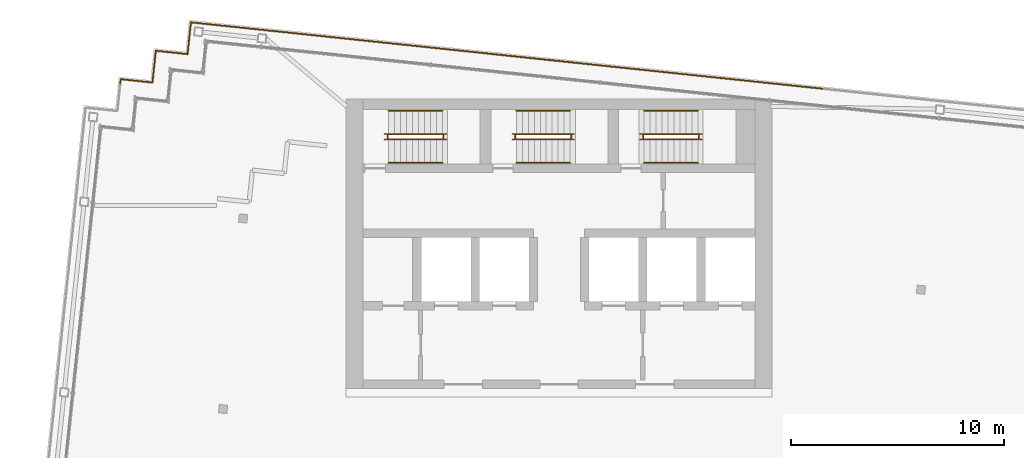
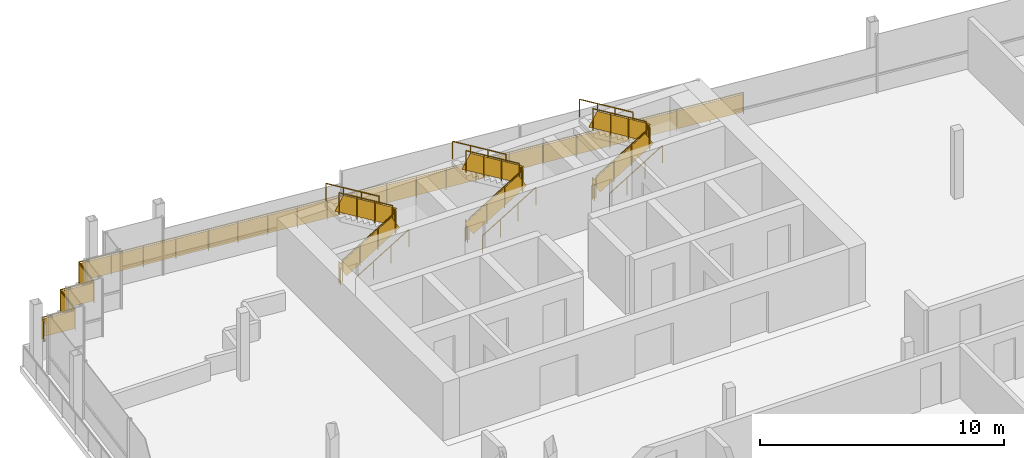
# One storey, part 14 of 15: 21 railings.
"""IFC4 building model written with IfcOpenShell, lengths in metres."""

from ifc_helpers import new_model, si_unit, direction, frame, origin, origin_2d, place, context, subcontext, project, spatial, rectangle, circle, extrude, material, type_object, element, save


model = new_model("IFC4")

# Units and contexts
model_context = context("Model", 3, precision=1e-05, world=origin(), true_north=direction((0.0, 1.0)))
body_context = subcontext(model_context, "Body", "Model", "MODEL_VIEW")
ifc_project = project(units=[si_unit("LENGTHUNIT", "METRE"), si_unit("AREAUNIT", "SQUARE_METRE"), si_unit("VOLUMEUNIT", "CUBIC_METRE"), si_unit("PLANEANGLEUNIT", "RADIAN"), si_unit("MASSUNIT", "GRAM", prefix="KILO")], contexts=[model_context])

# Site, building, storey
site_placement = place(None, origin())
site = spatial("IfcSite", under=ifc_project, at=site_placement, CompositionType="ELEMENT")
building_placement = place(site_placement, origin())
building = spatial("IfcBuilding", under=site, at=building_placement, Name="Vidyagriha Tower", CompositionType="ELEMENT")
storey_placement = place(building_placement, frame((0.0, 0.0, 298.300048828125)))
storey = spatial("IfcBuildingStorey", under=building, at=storey_placement, Name="L77", CompositionType="ELEMENT", Elevation=298.300048828125)

# Railings
ifc_material_1 = material(Name="Steel ASTM A500 Grade C black painted", Category="steel")
railing_type_1 = type_object("IfcRailingType", Name="Gallery guard 1100", PredefinedType="GUARDRAIL", material=ifc_material_1)
railing_1_placement = place(storey_placement, frame((-20.600341796875, 20.727783203125, 0.0)))
element("IfcRailing", 1, at=railing_1_placement, inside=storey, type_object=railing_type_1, Name="Gallery guard L77 9", PredefinedType="GUARDRAIL", context=body_context, shape_type="SweptSolid", body=[
    extrude(circle(Radius=0.02490234375, at=origin_2d()), frame((0.0, 0.0, 1.0751953125), z_axis=(0.10506634941, 0.994465214184, 0.0), x_axis=(-0.994465214184, 0.10506634941, 0.0)), (0.0, 0.0, 1.0), 0.199951171875),
    extrude(circle(Radius=0.02490234375, at=origin_2d()), frame((0.02099609375, 0.19873046875, 1.0751953125), z_axis=(0.994525057048, -0.104498377516, 0.0), x_axis=(0.104498377516, 0.994525057048, 0.0)), (0.0, 0.0, 1.0), 1.5),
    extrude(circle(Radius=0.02490234375, at=origin_2d()), frame((1.5126953125, 0.0419921875, 1.0751953125), z_axis=(0.104498377516, 0.994525057048, 0.0), x_axis=(-0.994525057048, 0.104498377516, 0.0)), (0.0, 0.0, 1.0), 1.5),
    extrude(circle(Radius=0.02490234375, at=origin_2d()), frame((1.66943359375, 1.53369140625, 1.0751953125), z_axis=(0.994525057048, -0.104498377516, 0.0), x_axis=(0.104498377516, 0.994525057048, 0.0)), (0.0, 0.0, 1.0), 1.5),
    extrude(circle(Radius=0.02490234375, at=origin_2d()), frame((3.1611328125, 1.376953125, 1.0751953125), z_axis=(0.104659366031, 0.994508128223, 0.0), x_axis=(-0.994508128223, 0.104659366031, 0.0)), (0.0, 0.0, 1.0), 1.5),
    extrude(circle(Radius=0.02490234375, at=origin_2d()), frame((3.318115234375, 2.86865234375, 1.0751953125), z_axis=(0.994523198252, -0.104516066418, 0.0), x_axis=(0.104516066418, 0.994523198252, 0.0)), (0.0, 0.0, 1.0), 5.800048828125),
    extrude(circle(Radius=0.02001953125, at=origin_2d()), origin(), (0.0, 0.0, 1.0), 1.050048828125),
    extrude(circle(Radius=0.02001953125, at=origin_2d()), frame((0.02099609375, 0.19873046875, 0.0)), (0.0, 0.0, 1.0), 1.050048828125),
    extrude(circle(Radius=0.02001953125, at=origin_2d()), frame((1.5126953125, 0.0419921875, 0.0)), (0.0, 0.0, 1.0), 1.050048828125),
    extrude(circle(Radius=0.02001953125, at=origin_2d()), frame((1.66943359375, 1.53369140625, 0.0)), (0.0, 0.0, 1.0), 1.050048828125),
    extrude(circle(Radius=0.02001953125, at=origin_2d()), frame((3.1611328125, 1.376953125, 0.0)), (0.0, 0.0, 1.0), 1.050048828125),
    extrude(circle(Radius=0.02001953125, at=origin_2d()), frame((3.318115234375, 2.86865234375, 0.0)), (0.0, 0.0, 1.0), 1.050048828125),
    extrude(circle(Radius=0.02001953125, at=origin_2d()), frame((4.76025390625, 2.717041015625, 0.0)), (0.0, 0.0, 1.0), 1.050048828125),
    extrude(circle(Radius=0.02001953125, at=origin_2d()), frame((6.2021484375, 2.5654296875, 0.0)), (0.0, 0.0, 1.0), 1.050048828125),
    extrude(circle(Radius=0.02001953125, at=origin_2d()), frame((7.644287109375, 2.4140625, 0.0)), (0.0, 0.0, 1.0), 1.050048828125),
    extrude(circle(Radius=0.02001953125, at=origin_2d()), frame((9.08642578125, 2.262451171875, 0.0)), (0.0, 0.0, 1.0), 1.050048828125),
    extrude(rectangle(XDim=0.010009765625, YDim=0.900146484375, at=origin_2d()), frame((0.0, 0.0, 0.550048828125), z_axis=(0.10506634941, 0.994465214184, 0.0), x_axis=(-0.994465214184, 0.10506634941, 0.0)), (0.0, 0.0, 1.0), 0.199951171875),
    extrude(rectangle(XDim=0.010009765625, YDim=0.900146484375, at=origin_2d()), frame((0.02099609375, 0.19873046875, 0.550048828125), z_axis=(0.994525057048, -0.104498377516, 0.0), x_axis=(0.104498377516, 0.994525057048, 0.0)), (0.0, 0.0, 1.0), 1.5),
    extrude(rectangle(XDim=0.010009765625, YDim=0.900146484375, at=origin_2d()), frame((1.5126953125, 0.0419921875, 0.550048828125), z_axis=(0.104498377516, 0.994525057048, 0.0), x_axis=(-0.994525057048, 0.104498377516, 0.0)), (0.0, 0.0, 1.0), 1.5),
    extrude(rectangle(XDim=0.010009765625, YDim=0.900146484375, at=origin_2d()), frame((1.66943359375, 1.53369140625, 0.550048828125), z_axis=(0.994525057048, -0.104498377516, 0.0), x_axis=(0.104498377516, 0.994525057048, 0.0)), (0.0, 0.0, 1.0), 1.5),
    extrude(rectangle(XDim=0.010009765625, YDim=0.900146484375, at=origin_2d()), frame((3.1611328125, 1.376953125, 0.550048828125), z_axis=(0.104659366031, 0.994508128223, 0.0), x_axis=(-0.994508128223, 0.104659366031, 0.0)), (0.0, 0.0, 1.0), 1.5),
    extrude(rectangle(XDim=0.010009765625, YDim=0.900146484375, at=origin_2d()), frame((3.318115234375, 2.86865234375, 0.550048828125), z_axis=(0.994523198252, -0.104516066418, 0.0), x_axis=(0.104516066418, 0.994523198252, 0.0)), (0.0, 0.0, 1.0), 5.800048828125),
])
railing_2_placement = place(storey_placement, frame((-11.513916015625, 22.990234375, 0.0)))
element("IfcRailing", 2, at=railing_2_placement, inside=storey, type_object=railing_type_1, Name="Gallery guard L77 10", PredefinedType="GUARDRAIL", context=body_context, shape_type="SweptSolid", body=[
    extrude(circle(Radius=0.02490234375, at=origin_2d()), frame((0.0, 0.0, 1.0751953125), z_axis=(0.994521494219, -0.104532279878, 0.0), x_axis=(0.104532279878, 0.994521494219, 0.0)), (0.0, 0.0, 1.0), 12.0),
    extrude(circle(Radius=0.02001953125, at=origin_2d()), origin(), (0.0, 0.0, 1.0), 1.050048828125),
    extrude(circle(Radius=0.02001953125, at=origin_2d()), frame((1.325927734375, -0.139404296875, 0.0)), (0.0, 0.0, 1.0), 1.050048828125),
    extrude(circle(Radius=0.02001953125, at=origin_2d()), frame((2.652099609375, -0.27880859375, 0.0)), (0.0, 0.0, 1.0), 1.050048828125),
    extrude(circle(Radius=0.02001953125, at=origin_2d()), frame((3.97802734375, -0.418212890625, 0.0)), (0.0, 0.0, 1.0), 1.050048828125),
    extrude(circle(Radius=0.02001953125, at=origin_2d()), frame((5.30419921875, -0.5576171875, 0.0)), (0.0, 0.0, 1.0), 1.050048828125),
    extrude(circle(Radius=0.02001953125, at=origin_2d()), frame((6.630126953125, -0.69677734375, 0.0)), (0.0, 0.0, 1.0), 1.050048828125),
    extrude(circle(Radius=0.02001953125, at=origin_2d()), frame((7.956298828125, -0.836181640625, 0.0)), (0.0, 0.0, 1.0), 1.050048828125),
    extrude(circle(Radius=0.02001953125, at=origin_2d()), frame((9.2822265625, -0.9755859375, 0.0)), (0.0, 0.0, 1.0), 1.050048828125),
    extrude(circle(Radius=0.02001953125, at=origin_2d()), frame((10.6083984375, -1.114990234375, 0.0)), (0.0, 0.0, 1.0), 1.050048828125),
    extrude(circle(Radius=0.02001953125, at=origin_2d()), frame((11.934326171875, -1.25439453125, 0.0)), (0.0, 0.0, 1.0), 1.050048828125),
    extrude(rectangle(XDim=0.010009765625, YDim=0.900146484375, at=origin_2d()), frame((0.0, 0.0, 0.550048828125), z_axis=(0.994521494219, -0.104532279878, 0.0), x_axis=(0.104532279878, 0.994521494219, 0.0)), (0.0, 0.0, 1.0), 12.0),
])
railing_3_placement = place(storey_placement, frame((0.42041015625, 21.73583984375, 0.0)))
element("IfcRailing", 3, at=railing_3_placement, inside=storey, type_object=railing_type_1, Name="Gallery guard L77 11", PredefinedType="GUARDRAIL", context=body_context, shape_type="SweptSolid", body=[
    extrude(circle(Radius=0.02490234375, at=origin_2d()), frame((0.0, 0.0, 1.0751953125), z_axis=(0.994523386841, -0.104514271883, 0.0), x_axis=(0.104514271883, 0.994523386841, 0.0)), (0.0, 0.0, 1.0), 11.999755859375),
    extrude(circle(Radius=0.02001953125, at=origin_2d()), origin(), (0.0, 0.0, 1.0), 1.050048828125),
    extrude(circle(Radius=0.02001953125, at=origin_2d()), frame((1.49169921875, -0.15673828125, 0.0)), (0.0, 0.0, 1.0), 1.050048828125),
    extrude(circle(Radius=0.02001953125, at=origin_2d()), frame((2.9833984375, -0.3134765625, 0.0)), (0.0, 0.0, 1.0), 1.050048828125),
    extrude(circle(Radius=0.02001953125, at=origin_2d()), frame((4.475341796875, -0.47021484375, 0.0)), (0.0, 0.0, 1.0), 1.050048828125),
    extrude(circle(Radius=0.02001953125, at=origin_2d()), frame((5.967041015625, -0.626953125, 0.0)), (0.0, 0.0, 1.0), 1.050048828125),
    extrude(circle(Radius=0.02001953125, at=origin_2d()), frame((7.458740234375, -0.783935546875, 0.0)), (0.0, 0.0, 1.0), 1.050048828125),
    extrude(circle(Radius=0.02001953125, at=origin_2d()), frame((8.95068359375, -0.940673828125, 0.0)), (0.0, 0.0, 1.0), 1.050048828125),
    extrude(circle(Radius=0.02001953125, at=origin_2d()), frame((10.4423828125, -1.097412109375, 0.0)), (0.0, 0.0, 1.0), 1.050048828125),
    extrude(circle(Radius=0.02001953125, at=origin_2d()), frame((11.93408203125, -1.254150390625, 0.0)), (0.0, 0.0, 1.0), 1.050048828125),
    extrude(rectangle(XDim=0.010009765625, YDim=0.900146484375, at=origin_2d()), frame((0.0, 0.0, 0.550048828125), z_axis=(0.994523386841, -0.104514271883, 0.0), x_axis=(0.104514271883, 0.994523386841, 0.0)), (0.0, 0.0, 1.0), 11.999755859375),
])
ifc_material_2 = material(Name="Steel ASTM A500 Grade C", Category="steel")
railing_type_2 = type_object("IfcRailingType", Name="Stair guard 1100 mm, steel balustrade", PredefinedType="GUARDRAIL", material=ifc_material_2)
railing_4_placement = place(storey_placement, frame((-8.0, 18.10009765625, 0.169921875)))
element("IfcRailing", 4, at=railing_4_placement, inside=storey, type_object=railing_type_2, Name="L77 ST1 stair guard 1", PredefinedType="GUARDRAIL", context=body_context, shape_type="SweptSolid", body=[
    extrude(circle(Radius=0.02392578125, at=origin_2d()), frame((0.0, 0.0, 1.076171875), z_axis=(0.85478489116, 0.0, 0.518982456201), x_axis=(0.0, 1.0, 0.0)), (0.0, 0.0, 1.0), 2.9482421875),
    extrude(circle(Radius=0.02099609375, at=origin_2d()), origin(), (0.0, 0.0, 1.0), 1.052001953125),
    extrude(circle(Radius=0.02099609375, at=origin_2d()), frame((0.840087890625, 0.0, 0.510009765625)), (0.0, 0.0, 1.0), 1.052001953125),
    extrude(circle(Radius=0.02099609375, at=origin_2d()), frame((1.679931640625, 0.0, 1.02001953125)), (0.0, 0.0, 1.0), 1.052001953125),
    extrude(circle(Radius=0.02099609375, at=origin_2d()), frame((2.52001953125, 0.0, 1.530029296875)), (0.0, 0.0, 1.0), 1.052001953125),
    extrude(rectangle(XDim=0.010009765625, YDim=0.77099609375, at=origin_2d()), frame((0.0, 0.0, 0.551025390625), z_axis=(0.85478489116, 0.0, 0.518982456201), x_axis=(0.0, 1.0, 0.0)), (0.0, 0.0, 1.0), 2.9482421875),
])
railing_5_placement = place(storey_placement, frame((-5.429931640625, 18.14990234375, 1.699951171875)))
element("IfcRailing", 5, at=railing_5_placement, inside=storey, type_object=railing_type_2, Name="L77 ST1 stair guard 2", PredefinedType="GUARDRAIL", context=body_context, shape_type="SweptSolid", body=[
    extrude(circle(Radius=0.02392578125, at=origin_2d()), frame((0.0, 0.0, 1.076171875), z_axis=(0.0, 1.0, 0.0), x_axis=(-1.0, 0.0, 0.0)), (0.0, 0.0, 1.0), 0.150146484375),
    extrude(circle(Radius=0.02099609375, at=origin_2d()), origin(), (0.0, 0.0, 1.0), 1.052001953125),
    extrude(circle(Radius=0.02099609375, at=origin_2d()), frame((0.0, 0.150146484375, 0.0)), (0.0, 0.0, 1.0), 1.052001953125),
    extrude(rectangle(XDim=0.010009765625, YDim=0.902099609375, at=origin_2d()), frame((0.0, 0.0, 0.551025390625), z_axis=(0.0, 1.0, 0.0), x_axis=(-1.0, 0.0, 0.0)), (0.0, 0.0, 1.0), 0.150146484375),
])
railing_6_placement = place(storey_placement, frame((-5.47998046875, 18.35009765625, 1.869873046875)))
element("IfcRailing", 6, at=railing_6_placement, inside=storey, type_object=railing_type_2, Name="L77 ST1 stair guard 3", PredefinedType="GUARDRAIL", context=body_context, shape_type="SweptSolid", body=[
    extrude(circle(Radius=0.02392578125, at=origin_2d()), frame((0.0, 0.0, 1.076171875), z_axis=(-0.85478489116, 0.0, 0.518982456201), x_axis=(0.0, -1.0, 0.0)), (0.0, 0.0, 1.0), 2.9482421875),
    extrude(circle(Radius=0.02099609375, at=origin_2d()), origin(), (0.0, 0.0, 1.0), 1.052001953125),
    extrude(circle(Radius=0.02099609375, at=origin_2d()), frame((-0.840087890625, 0.0, 0.510009765625)), (0.0, 0.0, 1.0), 1.052001953125),
    extrude(circle(Radius=0.02099609375, at=origin_2d()), frame((-1.679931640625, 0.0, 1.02001953125)), (0.0, 0.0, 1.0), 1.052001953125),
    extrude(circle(Radius=0.02099609375, at=origin_2d()), frame((-2.52001953125, 0.0, 1.530029296875)), (0.0, 0.0, 1.0), 1.052001953125),
    extrude(rectangle(XDim=0.010009765625, YDim=0.77099609375, at=origin_2d()), frame((0.0, 0.0, 0.551025390625), z_axis=(-0.85478489116, 0.0, 0.518982456201), x_axis=(0.0, -1.0, 0.0)), (0.0, 0.0, 1.0), 2.9482421875),
])
railing_7_placement = place(storey_placement, frame((-8.050048828125, 18.14990234375, 0.0)))
element("IfcRailing", 7, at=railing_7_placement, inside=storey, type_object=railing_type_2, Name="L77 ST1 stair guard 4", PredefinedType="GUARDRAIL", context=body_context, shape_type="SweptSolid", body=[
    extrude(circle(Radius=0.02392578125, at=origin_2d()), frame((0.0, 0.0, 1.076171875), z_axis=(0.0, 1.0, 0.0), x_axis=(-1.0, 0.0, 0.0)), (0.0, 0.0, 1.0), 0.150146484375),
    extrude(circle(Radius=0.02099609375, at=origin_2d()), origin(), (0.0, 0.0, 1.0), 1.052001953125),
    extrude(circle(Radius=0.02099609375, at=origin_2d()), frame((0.0, 0.150146484375, 0.0)), (0.0, 0.0, 1.0), 1.052001953125),
    extrude(rectangle(XDim=0.010009765625, YDim=0.902099609375, at=origin_2d()), frame((0.0, 0.0, 0.551025390625), z_axis=(0.0, 1.0, 0.0), x_axis=(-1.0, 0.0, 0.0)), (0.0, 0.0, 1.0), 0.150146484375),
])
railing_8_placement = place(storey_placement, frame((-2.0, 18.10009765625, 0.169921875)))
element("IfcRailing", 8, at=railing_8_placement, inside=storey, type_object=railing_type_2, Name="L77 ST2 stair guard 1", PredefinedType="GUARDRAIL", context=body_context, shape_type="SweptSolid", body=[
    extrude(circle(Radius=0.02392578125, at=origin_2d()), frame((0.0, 0.0, 1.076171875), z_axis=(0.85478489116, 0.0, 0.518982456201), x_axis=(0.0, 1.0, 0.0)), (0.0, 0.0, 1.0), 2.9482421875),
    extrude(circle(Radius=0.02099609375, at=origin_2d()), origin(), (0.0, 0.0, 1.0), 1.052001953125),
    extrude(circle(Radius=0.02099609375, at=origin_2d()), frame((0.840087890625, 0.0, 0.510009765625)), (0.0, 0.0, 1.0), 1.052001953125),
    extrude(circle(Radius=0.02099609375, at=origin_2d()), frame((1.679931640625, 0.0, 1.02001953125)), (0.0, 0.0, 1.0), 1.052001953125),
    extrude(circle(Radius=0.02099609375, at=origin_2d()), frame((2.52001953125, 0.0, 1.530029296875)), (0.0, 0.0, 1.0), 1.052001953125),
    extrude(rectangle(XDim=0.010009765625, YDim=0.77099609375, at=origin_2d()), frame((0.0, 0.0, 0.551025390625), z_axis=(0.85478489116, 0.0, 0.518982456201), x_axis=(0.0, 1.0, 0.0)), (0.0, 0.0, 1.0), 2.9482421875),
])
railing_9_placement = place(storey_placement, frame((0.570068359375, 18.14990234375, 1.699951171875)))
element("IfcRailing", 9, at=railing_9_placement, inside=storey, type_object=railing_type_2, Name="L77 ST2 stair guard 2", PredefinedType="GUARDRAIL", context=body_context, shape_type="SweptSolid", body=[
    extrude(circle(Radius=0.02392578125, at=origin_2d()), frame((0.0, 0.0, 1.076171875), z_axis=(0.0, 1.0, 0.0), x_axis=(-1.0, 0.0, 0.0)), (0.0, 0.0, 1.0), 0.150146484375),
    extrude(circle(Radius=0.02099609375, at=origin_2d()), origin(), (0.0, 0.0, 1.0), 1.052001953125),
    extrude(circle(Radius=0.02099609375, at=origin_2d()), frame((0.0, 0.150146484375, 0.0)), (0.0, 0.0, 1.0), 1.052001953125),
    extrude(rectangle(XDim=0.010009765625, YDim=0.902099609375, at=origin_2d()), frame((0.0, 0.0, 0.551025390625), z_axis=(0.0, 1.0, 0.0), x_axis=(-1.0, 0.0, 0.0)), (0.0, 0.0, 1.0), 0.150146484375),
])
railing_10_placement = place(storey_placement, frame((0.52001953125, 18.35009765625, 1.869873046875)))
element("IfcRailing", 10, at=railing_10_placement, inside=storey, type_object=railing_type_2, Name="L77 ST2 stair guard 3", PredefinedType="GUARDRAIL", context=body_context, shape_type="SweptSolid", body=[
    extrude(circle(Radius=0.02392578125, at=origin_2d()), frame((0.0, 0.0, 1.076171875), z_axis=(-0.85478489116, 0.0, 0.518982456201), x_axis=(0.0, -1.0, 0.0)), (0.0, 0.0, 1.0), 2.9482421875),
    extrude(circle(Radius=0.02099609375, at=origin_2d()), origin(), (0.0, 0.0, 1.0), 1.052001953125),
    extrude(circle(Radius=0.02099609375, at=origin_2d()), frame((-0.840087890625, 0.0, 0.510009765625)), (0.0, 0.0, 1.0), 1.052001953125),
    extrude(circle(Radius=0.02099609375, at=origin_2d()), frame((-1.679931640625, 0.0, 1.02001953125)), (0.0, 0.0, 1.0), 1.052001953125),
    extrude(circle(Radius=0.02099609375, at=origin_2d()), frame((-2.52001953125, 0.0, 1.530029296875)), (0.0, 0.0, 1.0), 1.052001953125),
    extrude(rectangle(XDim=0.010009765625, YDim=0.77099609375, at=origin_2d()), frame((0.0, 0.0, 0.551025390625), z_axis=(-0.85478489116, 0.0, 0.518982456201), x_axis=(0.0, -1.0, 0.0)), (0.0, 0.0, 1.0), 2.9482421875),
])
railing_11_placement = place(storey_placement, frame((-2.050048828125, 18.14990234375, 0.0)))
element("IfcRailing", 11, at=railing_11_placement, inside=storey, type_object=railing_type_2, Name="L77 ST2 stair guard 4", PredefinedType="GUARDRAIL", context=body_context, shape_type="SweptSolid", body=[
    extrude(circle(Radius=0.02392578125, at=origin_2d()), frame((0.0, 0.0, 1.076171875), z_axis=(0.0, 1.0, 0.0), x_axis=(-1.0, 0.0, 0.0)), (0.0, 0.0, 1.0), 0.150146484375),
    extrude(circle(Radius=0.02099609375, at=origin_2d()), origin(), (0.0, 0.0, 1.0), 1.052001953125),
    extrude(circle(Radius=0.02099609375, at=origin_2d()), frame((0.0, 0.150146484375, 0.0)), (0.0, 0.0, 1.0), 1.052001953125),
    extrude(rectangle(XDim=0.010009765625, YDim=0.902099609375, at=origin_2d()), frame((0.0, 0.0, 0.551025390625), z_axis=(0.0, 1.0, 0.0), x_axis=(-1.0, 0.0, 0.0)), (0.0, 0.0, 1.0), 0.150146484375),
])
railing_12_placement = place(storey_placement, frame((4.0, 18.10009765625, 0.169921875)))
element("IfcRailing", 12, at=railing_12_placement, inside=storey, type_object=railing_type_2, Name="L77 ST3 stair guard 1", PredefinedType="GUARDRAIL", context=body_context, shape_type="SweptSolid", body=[
    extrude(circle(Radius=0.02392578125, at=origin_2d()), frame((0.0, 0.0, 1.076171875), z_axis=(0.85478489116, 0.0, 0.518982456201), x_axis=(0.0, 1.0, 0.0)), (0.0, 0.0, 1.0), 2.9482421875),
    extrude(circle(Radius=0.02099609375, at=origin_2d()), origin(), (0.0, 0.0, 1.0), 1.052001953125),
    extrude(circle(Radius=0.02099609375, at=origin_2d()), frame((0.840087890625, 0.0, 0.510009765625)), (0.0, 0.0, 1.0), 1.052001953125),
    extrude(circle(Radius=0.02099609375, at=origin_2d()), frame((1.679931640625, 0.0, 1.02001953125)), (0.0, 0.0, 1.0), 1.052001953125),
    extrude(circle(Radius=0.02099609375, at=origin_2d()), frame((2.52001953125, 0.0, 1.530029296875)), (0.0, 0.0, 1.0), 1.052001953125),
    extrude(rectangle(XDim=0.010009765625, YDim=0.77099609375, at=origin_2d()), frame((0.0, 0.0, 0.551025390625), z_axis=(0.85478489116, 0.0, 0.518982456201), x_axis=(0.0, 1.0, 0.0)), (0.0, 0.0, 1.0), 2.9482421875),
])
railing_13_placement = place(storey_placement, frame((6.570068359375, 18.14990234375, 1.699951171875)))
element("IfcRailing", 13, at=railing_13_placement, inside=storey, type_object=railing_type_2, Name="L77 ST3 stair guard 2", PredefinedType="GUARDRAIL", context=body_context, shape_type="SweptSolid", body=[
    extrude(circle(Radius=0.02392578125, at=origin_2d()), frame((0.0, 0.0, 1.076171875), z_axis=(0.0, 1.0, 0.0), x_axis=(-1.0, 0.0, 0.0)), (0.0, 0.0, 1.0), 0.150146484375),
    extrude(circle(Radius=0.02099609375, at=origin_2d()), origin(), (0.0, 0.0, 1.0), 1.052001953125),
    extrude(circle(Radius=0.02099609375, at=origin_2d()), frame((0.0, 0.150146484375, 0.0)), (0.0, 0.0, 1.0), 1.052001953125),
    extrude(rectangle(XDim=0.010009765625, YDim=0.902099609375, at=origin_2d()), frame((0.0, 0.0, 0.551025390625), z_axis=(0.0, 1.0, 0.0), x_axis=(-1.0, 0.0, 0.0)), (0.0, 0.0, 1.0), 0.150146484375),
])
railing_14_placement = place(storey_placement, frame((6.52001953125, 18.35009765625, 1.869873046875)))
element("IfcRailing", 14, at=railing_14_placement, inside=storey, type_object=railing_type_2, Name="L77 ST3 stair guard 3", PredefinedType="GUARDRAIL", context=body_context, shape_type="SweptSolid", body=[
    extrude(circle(Radius=0.02392578125, at=origin_2d()), frame((0.0, 0.0, 1.076171875), z_axis=(-0.85478489116, 0.0, 0.518982456201), x_axis=(0.0, -1.0, 0.0)), (0.0, 0.0, 1.0), 2.9482421875),
    extrude(circle(Radius=0.02099609375, at=origin_2d()), origin(), (0.0, 0.0, 1.0), 1.052001953125),
    extrude(circle(Radius=0.02099609375, at=origin_2d()), frame((-0.840087890625, 0.0, 0.510009765625)), (0.0, 0.0, 1.0), 1.052001953125),
    extrude(circle(Radius=0.02099609375, at=origin_2d()), frame((-1.679931640625, 0.0, 1.02001953125)), (0.0, 0.0, 1.0), 1.052001953125),
    extrude(circle(Radius=0.02099609375, at=origin_2d()), frame((-2.52001953125, 0.0, 1.530029296875)), (0.0, 0.0, 1.0), 1.052001953125),
    extrude(rectangle(XDim=0.010009765625, YDim=0.77099609375, at=origin_2d()), frame((0.0, 0.0, 0.551025390625), z_axis=(-0.85478489116, 0.0, 0.518982456201), x_axis=(0.0, -1.0, 0.0)), (0.0, 0.0, 1.0), 2.9482421875),
])
railing_15_placement = place(storey_placement, frame((3.949951171875, 18.14990234375, 0.0)))
element("IfcRailing", 15, at=railing_15_placement, inside=storey, type_object=railing_type_2, Name="L77 ST3 stair guard 4", PredefinedType="GUARDRAIL", context=body_context, shape_type="SweptSolid", body=[
    extrude(circle(Radius=0.02392578125, at=origin_2d()), frame((0.0, 0.0, 1.076171875), z_axis=(0.0, 1.0, 0.0), x_axis=(-1.0, 0.0, 0.0)), (0.0, 0.0, 1.0), 0.150146484375),
    extrude(circle(Radius=0.02099609375, at=origin_2d()), origin(), (0.0, 0.0, 1.0), 1.052001953125),
    extrude(circle(Radius=0.02099609375, at=origin_2d()), frame((0.0, 0.150146484375, 0.0)), (0.0, 0.0, 1.0), 1.052001953125),
    extrude(rectangle(XDim=0.010009765625, YDim=0.902099609375, at=origin_2d()), frame((0.0, 0.0, 0.551025390625), z_axis=(0.0, 1.0, 0.0), x_axis=(-1.0, 0.0, 0.0)), (0.0, 0.0, 1.0), 0.150146484375),
])
ifc_material_3 = material(Name="Steel ASTM A500 Grade C", Category="steel")
railing_type_3 = type_object("IfcRailingType", Name="Stair handrail 900 mm, steel", PredefinedType="HANDRAIL", material=ifc_material_3)
railing_16_placement = place(storey_placement, frame((-8.0, 17.0, 0.169921875)))
element("IfcRailing", 16, at=railing_16_placement, inside=storey, type_object=railing_type_3, Name="L77 ST1 stair handrail 1", PredefinedType="HANDRAIL", context=body_context, shape_type="SweptSolid", body=[
    extrude(circle(Radius=0.02392578125, at=origin_2d()), frame((0.0, 0.0, 0.8759765625), z_axis=(0.85478489116, 0.0, 0.518982456201), x_axis=(0.0, 1.0, 0.0)), (0.0, 0.0, 1.0), 2.9482421875),
    extrude(circle(Radius=0.02099609375, at=origin_2d()), origin(), (0.0, 0.0, 1.0), 0.851806640625),
    extrude(circle(Radius=0.02099609375, at=origin_2d()), frame((0.840087890625, 0.0, 0.510009765625)), (0.0, 0.0, 1.0), 0.851806640625),
    extrude(circle(Radius=0.02099609375, at=origin_2d()), frame((1.679931640625, 0.0, 1.02001953125)), (0.0, 0.0, 1.0), 0.851806640625),
    extrude(circle(Radius=0.02099609375, at=origin_2d()), frame((2.52001953125, 0.0, 1.530029296875)), (0.0, 0.0, 1.0), 0.851806640625),
])
railing_17_placement = place(storey_placement, frame((-5.47998046875, 19.449951171875, 1.869873046875)))
element("IfcRailing", 17, at=railing_17_placement, inside=storey, type_object=railing_type_3, Name="L77 ST1 stair handrail 2", PredefinedType="HANDRAIL", context=body_context, shape_type="SweptSolid", body=[
    extrude(circle(Radius=0.02392578125, at=origin_2d()), frame((0.0, 0.0, 0.8759765625), z_axis=(-0.85478489116, 0.0, 0.518982456201), x_axis=(0.0, -1.0, 0.0)), (0.0, 0.0, 1.0), 2.9482421875),
    extrude(circle(Radius=0.02099609375, at=origin_2d()), origin(), (0.0, 0.0, 1.0), 0.851806640625),
    extrude(circle(Radius=0.02099609375, at=origin_2d()), frame((-0.840087890625, 0.0, 0.510009765625)), (0.0, 0.0, 1.0), 0.851806640625),
    extrude(circle(Radius=0.02099609375, at=origin_2d()), frame((-1.679931640625, 0.0, 1.02001953125)), (0.0, 0.0, 1.0), 0.851806640625),
    extrude(circle(Radius=0.02099609375, at=origin_2d()), frame((-2.52001953125, 0.0, 1.530029296875)), (0.0, 0.0, 1.0), 0.851806640625),
])
railing_18_placement = place(storey_placement, frame((-2.0, 17.0, 0.169921875)))
element("IfcRailing", 18, at=railing_18_placement, inside=storey, type_object=railing_type_3, Name="L77 ST2 stair handrail 1", PredefinedType="HANDRAIL", context=body_context, shape_type="SweptSolid", body=[
    extrude(circle(Radius=0.02392578125, at=origin_2d()), frame((0.0, 0.0, 0.8759765625), z_axis=(0.85478489116, 0.0, 0.518982456201), x_axis=(0.0, 1.0, 0.0)), (0.0, 0.0, 1.0), 2.9482421875),
    extrude(circle(Radius=0.02099609375, at=origin_2d()), origin(), (0.0, 0.0, 1.0), 0.851806640625),
    extrude(circle(Radius=0.02099609375, at=origin_2d()), frame((0.840087890625, 0.0, 0.510009765625)), (0.0, 0.0, 1.0), 0.851806640625),
    extrude(circle(Radius=0.02099609375, at=origin_2d()), frame((1.679931640625, 0.0, 1.02001953125)), (0.0, 0.0, 1.0), 0.851806640625),
    extrude(circle(Radius=0.02099609375, at=origin_2d()), frame((2.52001953125, 0.0, 1.530029296875)), (0.0, 0.0, 1.0), 0.851806640625),
])
railing_19_placement = place(storey_placement, frame((0.52001953125, 19.449951171875, 1.869873046875)))
element("IfcRailing", 19, at=railing_19_placement, inside=storey, type_object=railing_type_3, Name="L77 ST2 stair handrail 2", PredefinedType="HANDRAIL", context=body_context, shape_type="SweptSolid", body=[
    extrude(circle(Radius=0.02392578125, at=origin_2d()), frame((0.0, 0.0, 0.8759765625), z_axis=(-0.85478489116, 0.0, 0.518982456201), x_axis=(0.0, -1.0, 0.0)), (0.0, 0.0, 1.0), 2.9482421875),
    extrude(circle(Radius=0.02099609375, at=origin_2d()), origin(), (0.0, 0.0, 1.0), 0.851806640625),
    extrude(circle(Radius=0.02099609375, at=origin_2d()), frame((-0.840087890625, 0.0, 0.510009765625)), (0.0, 0.0, 1.0), 0.851806640625),
    extrude(circle(Radius=0.02099609375, at=origin_2d()), frame((-1.679931640625, 0.0, 1.02001953125)), (0.0, 0.0, 1.0), 0.851806640625),
    extrude(circle(Radius=0.02099609375, at=origin_2d()), frame((-2.52001953125, 0.0, 1.530029296875)), (0.0, 0.0, 1.0), 0.851806640625),
])
railing_20_placement = place(storey_placement, frame((4.0, 17.0, 0.169921875)))
element("IfcRailing", 20, at=railing_20_placement, inside=storey, type_object=railing_type_3, Name="L77 ST3 stair handrail 1", PredefinedType="HANDRAIL", context=body_context, shape_type="SweptSolid", body=[
    extrude(circle(Radius=0.02392578125, at=origin_2d()), frame((0.0, 0.0, 0.8759765625), z_axis=(0.85478489116, 0.0, 0.518982456201), x_axis=(0.0, 1.0, 0.0)), (0.0, 0.0, 1.0), 2.9482421875),
    extrude(circle(Radius=0.02099609375, at=origin_2d()), origin(), (0.0, 0.0, 1.0), 0.851806640625),
    extrude(circle(Radius=0.02099609375, at=origin_2d()), frame((0.840087890625, 0.0, 0.510009765625)), (0.0, 0.0, 1.0), 0.851806640625),
    extrude(circle(Radius=0.02099609375, at=origin_2d()), frame((1.679931640625, 0.0, 1.02001953125)), (0.0, 0.0, 1.0), 0.851806640625),
    extrude(circle(Radius=0.02099609375, at=origin_2d()), frame((2.52001953125, 0.0, 1.530029296875)), (0.0, 0.0, 1.0), 0.851806640625),
])
railing_21_placement = place(storey_placement, frame((6.52001953125, 19.449951171875, 1.869873046875)))
element("IfcRailing", 21, at=railing_21_placement, inside=storey, type_object=railing_type_3, Name="L77 ST3 stair handrail 2", PredefinedType="HANDRAIL", context=body_context, shape_type="SweptSolid", body=[
    extrude(circle(Radius=0.02392578125, at=origin_2d()), frame((0.0, 0.0, 0.8759765625), z_axis=(-0.85478489116, 0.0, 0.518982456201), x_axis=(0.0, -1.0, 0.0)), (0.0, 0.0, 1.0), 2.9482421875),
    extrude(circle(Radius=0.02099609375, at=origin_2d()), origin(), (0.0, 0.0, 1.0), 0.851806640625),
    extrude(circle(Radius=0.02099609375, at=origin_2d()), frame((-0.840087890625, 0.0, 0.510009765625)), (0.0, 0.0, 1.0), 0.851806640625),
    extrude(circle(Radius=0.02099609375, at=origin_2d()), frame((-1.679931640625, 0.0, 1.02001953125)), (0.0, 0.0, 1.0), 0.851806640625),
    extrude(circle(Radius=0.02099609375, at=origin_2d()), frame((-2.52001953125, 0.0, 1.530029296875)), (0.0, 0.0, 1.0), 0.851806640625),
])

save(model, "model.ifc")
